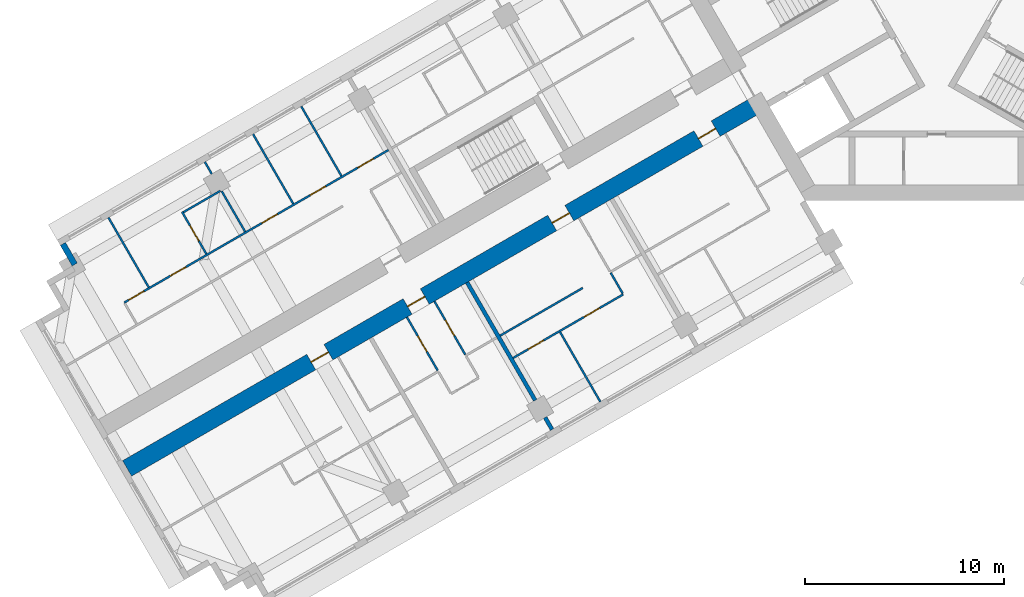
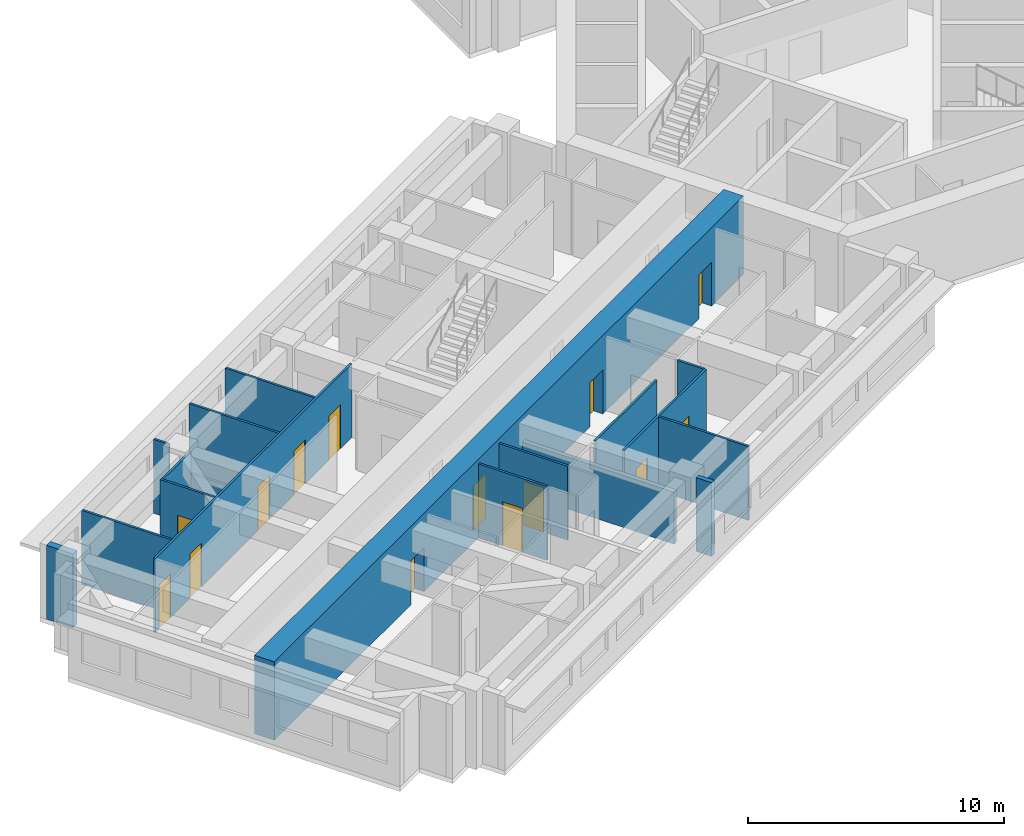
# One storey, part 4 of 14: 18 walls, 14 doors, 14 openings.
"""IFC4 building model written with IfcOpenShell, lengths in metres."""

from ifc_helpers import new_model, si_unit, direction, frame, frame_2d, origin, place, context, subcontext, project, spatial, rectangle, extrude, material, layer, layer_set, type_object, element, fill, save


model = new_model("IFC4")

# Units and contexts
model_context = context("Model", 3, precision=1e-05, world=origin(), true_north=direction((0.0, 1.0)))
body_context = subcontext(model_context, "Body", "Model", "MODEL_VIEW")
ifc_project = project(units=[si_unit("LENGTHUNIT", "METRE"), si_unit("AREAUNIT", "SQUARE_METRE"), si_unit("VOLUMEUNIT", "CUBIC_METRE"), si_unit("PLANEANGLEUNIT", "RADIAN"), si_unit("MASSUNIT", "GRAM", prefix="KILO")], contexts=[model_context])

# Site, building, storey
site_placement = place(None, origin())
site = spatial("IfcSite", under=ifc_project, at=site_placement, CompositionType="ELEMENT")
building_placement = place(site_placement, origin())
building = spatial("IfcBuilding", under=site, at=building_placement, Name="Impinga Residences", CompositionType="ELEMENT")
storey_placement = place(building_placement, frame((0.0, 0.0, 128.5)))
storey = spatial("IfcBuildingStorey", under=building, at=storey_placement, Name="L31", CompositionType="ELEMENT", Elevation=128.5)

# Wall, openings, doors
ifc_material_1 = material(Name="Concrete C60/75", Category="concrete")
ifc_layer_1 = layer(ifc_material_1, 0.89990234375)
ifc_layer_set_1 = layer_set([ifc_layer_1], Name="Concrete C60/75")
wall_type_1 = type_object("IfcWallType", Name="BW2 corridor buttress wall, L24 to L44 900", PredefinedType="SHEAR", material=ifc_layer_set_1)
wall_1_placement = place(storey_placement, frame((-8.95361328125, -6.554931640625, 0.0), z_axis=(0.0, 0.0, 1.0), x_axis=(-0.866024733898, -0.500001160275, 0.0)))
wall_1 = element("IfcWall", 1, at=wall_1_placement, inside=storey, type_object=wall_type_1, Name="Corridor wall BW2 WC L31", PredefinedType="SHEAR", context=body_context, shape_type="SweptSolid", body=[
    extrude(rectangle(XDim=36.7001953125, YDim=0.89990234375, at=frame_2d((18.35009765625, 0.0))), origin(), (0.0, 0.0, 1.0), 3.75),
])
opening_1_placement = place(wall_1_placement, frame((2.5, 0.0, 0.0)))
opening_1 = element("IfcOpeningElement", 2, at=opening_1_placement, cuts=wall_1, Name="Opening D1", PredefinedType="OPENING", context=body_context, shape_type="SweptSolid", body=[
    extrude(rectangle(XDim=1.0, YDim=2.10009765625, at=frame_2d((0.5, 1.050048828125))), frame((0.0, 0.4599609375, 0.0), z_axis=(0.0, -1.0, 0.0), x_axis=(1.0, 0.0, 0.0)), (0.0, 0.0, 1.0), 0.919921875),
])
opening_2_placement = place(wall_1_placement, frame((11.0, 0.0, 0.0)))
opening_2 = element("IfcOpeningElement", 3, at=opening_2_placement, cuts=wall_1, Name="Opening D1", PredefinedType="OPENING", context=body_context, shape_type="SweptSolid", body=[
    extrude(rectangle(XDim=1.0, YDim=2.10009765625, at=frame_2d((0.5, 1.050048828125))), frame((0.0, 0.4599609375, 0.0), z_axis=(0.0, -1.0, 0.0), x_axis=(1.0, 0.0, 0.0)), (0.0, 0.0, 1.0), 0.919921875),
])
opening_3_placement = place(wall_1_placement, frame((19.39990234375, 0.0, 0.0)))
opening_3 = element("IfcOpeningElement", 4, at=opening_3_placement, cuts=wall_1, Name="Opening D1", PredefinedType="OPENING", context=body_context, shape_type="SweptSolid", body=[
    extrude(rectangle(XDim=1.0, YDim=2.10009765625, at=frame_2d((0.5, 1.050048828125))), frame((0.0, 0.4599609375, 0.0), z_axis=(0.0, -1.0, 0.0), x_axis=(1.0, 0.0, 0.0)), (0.0, 0.0, 1.0), 0.919921875),
])
opening_4_placement = place(wall_1_placement, frame((25.0, 0.0, 0.0)))
opening_4 = element("IfcOpeningElement", 5, at=opening_4_placement, cuts=wall_1, Name="Opening D1", PredefinedType="OPENING", context=body_context, shape_type="SweptSolid", body=[
    extrude(rectangle(XDim=1.0, YDim=2.10009765625, at=frame_2d((0.5, 1.050048828125))), frame((0.0, 0.4599609375, 0.0), z_axis=(0.0, -1.0, 0.0), x_axis=(1.0, 0.0, 0.0)), (0.0, 0.0, 1.0), 0.919921875),
])
ifc_material_2 = material(Name="Timber door set", Category="wood")
door_type_1 = type_object("IfcDoorType", Name="D1 apartment entrance door 1000x2100", OperationType="SINGLE_SWING_LEFT", PredefinedType="DOOR", material=ifc_material_2)
door_1_placement = place(opening_1_placement, origin())
door_1 = element("IfcDoor", 6, at=door_1_placement, inside=storey, type_object=door_type_1, Name="Apartment L31-WA1 entrance", OperationType="SINGLE_SWING_LEFT", OverallHeight=2.10009765625, OverallWidth=1.0, PredefinedType="DOOR", context=body_context, shape_type="SweptSolid", body=[
    extrude(rectangle(XDim=1.0, YDim=2.10009765625, at=frame_2d((0.5, 1.050048828125))), frame((0.0, 0.02490234375, 0.0), z_axis=(0.0, -1.0, 0.0), x_axis=(1.0, 0.0, 0.0)), (0.0, 0.0, 1.0), 0.050048828125),
])
fill(opening_1, door_1)
door_2_placement = place(opening_2_placement, origin())
door_2 = element("IfcDoor", 7, at=door_2_placement, inside=storey, type_object=door_type_1, Name="Apartment L31-WA2 entrance", OperationType="SINGLE_SWING_LEFT", OverallHeight=2.10009765625, OverallWidth=1.0, PredefinedType="DOOR", context=body_context, shape_type="SweptSolid", body=[
    extrude(rectangle(XDim=1.0, YDim=2.10009765625, at=frame_2d((0.5, 1.050048828125))), frame((0.0, 0.02490234375, 0.0), z_axis=(0.0, -1.0, 0.0), x_axis=(1.0, 0.0, 0.0)), (0.0, 0.0, 1.0), 0.050048828125),
])
fill(opening_2, door_2)
door_3_placement = place(opening_3_placement, origin())
door_3 = element("IfcDoor", 8, at=door_3_placement, inside=storey, type_object=door_type_1, Name="Apartment L31-WA3 entrance", OperationType="SINGLE_SWING_RIGHT", OverallHeight=2.10009765625, OverallWidth=1.0, PredefinedType="DOOR", context=body_context, shape_type="SweptSolid", body=[
    extrude(rectangle(XDim=1.0, YDim=2.10009765625, at=frame_2d((0.5, 1.050048828125))), frame((0.0, 0.02490234375, 0.0), z_axis=(0.0, -1.0, 0.0), x_axis=(1.0, 0.0, 0.0)), (0.0, 0.0, 1.0), 0.050048828125),
])
fill(opening_3, door_3)
door_4_placement = place(opening_4_placement, origin())
door_4 = element("IfcDoor", 9, at=door_4_placement, inside=storey, type_object=door_type_1, Name="Apartment L31-WA4 entrance", OperationType="SINGLE_SWING_RIGHT", OverallHeight=2.10009765625, OverallWidth=1.0, PredefinedType="DOOR", context=body_context, shape_type="SweptSolid", body=[
    extrude(rectangle(XDim=1.0, YDim=2.10009765625, at=frame_2d((0.5, 1.050048828125))), frame((0.0, 0.02490234375, 0.0), z_axis=(0.0, -1.0, 0.0), x_axis=(1.0, 0.0, 0.0)), (0.0, 0.0, 1.0), 0.050048828125),
])
fill(opening_4, door_4)

# Walls
ifc_material_3 = material(Name="Terracotta rainscreen on blockwork", Category="masonry")
ifc_layer_2 = layer(ifc_material_3, 0.300048828125)
ifc_layer_set_2 = layer_set([ifc_layer_2], Name="EW1 external wall, terracotta rainscreen on blockwork 300")
wall_type_2 = type_object("IfcWallType", Name="EW1 external wall, terracotta rainscreen on blockwork 300", PredefinedType="SOLIDWALL", material=ifc_layer_set_2)
wall_2_placement = place(storey_placement, frame((-43.37109375, -14.64208984375, 0.0), z_axis=(0.0, 0.0, 1.0), x_axis=(-0.500029051137, 0.866008630453, 0.0)))
element("IfcWall", 10, at=wall_2_placement, inside=storey, type_object=wall_type_2, Name="External wall EW1 L31", PredefinedType="SOLIDWALL", context=body_context, shape_type="SweptSolid", body=[
    extrude(rectangle(XDim=1.19482421875, YDim=0.300048828125, at=frame_2d((0.597412109375, 0.0))), origin(), (0.0, 0.0, 1.0), 3.530029296875),
])
ifc_material_4 = material(Name="Gypsum board on steel studs", Category="steel")
ifc_layer_3 = layer(ifc_material_4, 0.10009765625)
ifc_layer_set_3 = layer_set([ifc_layer_3], Name="Gypsum board on steel studs")
wall_type_3 = type_object("IfcWallType", Name="IP1 partition 100", PredefinedType="PARTITIONING", material=ifc_layer_set_3)
wall_3_placement = place(storey_placement, frame((-17.8056640625, -15.82275390625, 0.0), z_axis=(0.0, 0.0, 1.0), x_axis=(-0.866037363387, -0.499979284789, 0.0)))
element("IfcWall", 11, at=wall_3_placement, inside=storey, type_object=wall_type_3, Name="Partition L31-WA2:DIV1", PredefinedType="PARTITIONING", context=body_context, shape_type="SweptSolid", body=[
    extrude(rectangle(XDim=4.800048828125, YDim=0.10009765625, at=frame_2d((2.39990234375, 0.0))), origin(), (0.0, 0.0, 1.0), 3.530029296875),
])

# Wall, openings, doors
wall_4_placement = place(storey_placement, frame((-15.77001953125, -16.1484375, 0.0), z_axis=(0.0, 0.0, 1.0), x_axis=(-0.866018518567, -0.500011925357, 0.0)))
wall_4 = element("IfcWall", 12, at=wall_4_placement, inside=storey, type_object=wall_type_3, Name="Partition L31-WA2:STRIP", PredefinedType="PARTITIONING", context=body_context, shape_type="SweptSolid", body=[
    extrude(rectangle(XDim=6.400146484375, YDim=0.10009765625, at=frame_2d((3.2001953125, 0.0))), origin(), (0.0, 0.0, 1.0), 3.530029296875),
])
opening_5_placement = place(wall_4_placement, frame((1.375, 0.0, 0.0)))
opening_5 = element("IfcOpeningElement", 13, at=opening_5_placement, cuts=wall_4, Name="Opening D2", PredefinedType="OPENING", context=body_context, shape_type="SweptSolid", body=[
    extrude(rectangle(XDim=0.89990234375, YDim=2.10009765625, at=frame_2d((0.449951171875, 1.050048828125))), frame((0.0, 0.06005859375, 0.0), z_axis=(0.0, -1.0, 0.0), x_axis=(1.0, 0.0, 0.0)), (0.0, 0.0, 1.0), 0.1201171875),
])
opening_6_placement = place(wall_4_placement, frame((4.625, 0.0, 0.0)))
opening_6 = element("IfcOpeningElement", 14, at=opening_6_placement, cuts=wall_4, Name="Opening D2", PredefinedType="OPENING", context=body_context, shape_type="SweptSolid", body=[
    extrude(rectangle(XDim=0.89990234375, YDim=2.10009765625, at=frame_2d((0.449951171875, 1.050048828125))), frame((0.0, 0.06005859375, 0.0), z_axis=(0.0, -1.0, 0.0), x_axis=(1.0, 0.0, 0.0)), (0.0, 0.0, 1.0), 0.1201171875),
])
door_type_2 = type_object("IfcDoorType", Name="D2 internal door 900x2100", OperationType="SINGLE_SWING_LEFT", PredefinedType="DOOR", material=ifc_material_2)
door_5_placement = place(opening_5_placement, origin())
door_5 = element("IfcDoor", 15, at=door_5_placement, inside=storey, type_object=door_type_2, Name="Apartment L31-WA2 room door", OperationType="SINGLE_SWING_LEFT", OverallHeight=2.10009765625, OverallWidth=0.89990234375, PredefinedType="DOOR", context=body_context, shape_type="SweptSolid", body=[
    extrude(rectangle(XDim=0.89990234375, YDim=2.10009765625, at=frame_2d((0.449951171875, 1.050048828125))), frame((0.0, 0.02490234375, 0.0), z_axis=(0.0, -1.0, 0.0), x_axis=(1.0, 0.0, 0.0)), (0.0, 0.0, 1.0), 0.050048828125),
])
fill(opening_5, door_5)
door_6_placement = place(opening_6_placement, origin())
door_6 = element("IfcDoor", 16, at=door_6_placement, inside=storey, type_object=door_type_2, Name="Apartment L31-WA2 room door", OperationType="SINGLE_SWING_RIGHT", OverallHeight=2.10009765625, OverallWidth=0.89990234375, PredefinedType="DOOR", context=body_context, shape_type="SweptSolid", body=[
    extrude(rectangle(XDim=0.89990234375, YDim=2.10009765625, at=frame_2d((0.449951171875, 1.050048828125))), frame((0.0, 0.02490234375, 0.0), z_axis=(0.0, -1.0, 0.0), x_axis=(1.0, 0.0, 0.0)), (0.0, 0.0, 1.0), 0.050048828125),
])
fill(opening_6, door_6)

# Walls
wall_5_placement = place(storey_placement, frame((-16.39501953125, -15.06591796875, 0.0), z_axis=(0.0, 0.0, 1.0), x_axis=(0.499880961361, -0.866094119867, 0.0)))
element("IfcWall", 17, at=wall_5_placement, inside=storey, type_object=wall_type_3, Name="Partition L31-WA2:SE0", PredefinedType="PARTITIONING", context=body_context, shape_type="SweptSolid", body=[
    extrude(rectangle(XDim=1.199951171875, YDim=0.10009765625, at=frame_2d((0.60009765625, 0.0))), origin(), (0.0, 0.0, 1.0), 3.530029296875),
])
wall_6_placement = place(storey_placement, frame((-18.949462890625, -18.041748046875, 0.0), z_axis=(0.0, 0.0, 1.0), x_axis=(0.50000943426, -0.866019956843, 0.0)))
element("IfcWall", 18, at=wall_6_placement, inside=storey, type_object=wall_type_3, Name="Partition L31-WA2:OB1", PredefinedType="PARTITIONING", context=body_context, shape_type="SweptSolid", body=[
    extrude(rectangle(XDim=4.05029296875, YDim=0.10009765625, at=frame_2d((2.025146484375, 0.0))), origin(), (0.0, 0.0, 1.0), 3.530029296875),
])

# Wall, opening, door
wall_7_placement = place(storey_placement, frame((-25.269775390625, -16.49462890625, 0.0), z_axis=(0.0, 0.0, 1.0), x_axis=(0.49999285859, -0.86602952684, 0.0)))
wall_7 = element("IfcWall", 19, at=wall_7_placement, inside=storey, type_object=wall_type_3, Name="Partition L31-WA3:IB1", PredefinedType="PARTITIONING", context=body_context, shape_type="SweptSolid", body=[
    extrude(rectangle(XDim=3.10009765625, YDim=0.10009765625, at=frame_2d((1.550048828125, 0.0))), origin(), (0.0, 0.0, 1.0), 3.530029296875),
])
opening_7_placement = place(wall_7_placement, frame((1.10009765625, 0.0, 0.0)))
opening_7 = element("IfcOpeningElement", 20, at=opening_7_placement, cuts=wall_7, Name="Opening D2", PredefinedType="OPENING", context=body_context, shape_type="SweptSolid", body=[
    extrude(rectangle(XDim=0.89990234375, YDim=2.10009765625, at=frame_2d((0.449951171875, 1.050048828125))), frame((0.0, 0.06005859375, 0.0), z_axis=(0.0, -1.0, 0.0), x_axis=(1.0, 0.0, 0.0)), (0.0, 0.0, 1.0), 0.1201171875),
])
door_7_placement = place(opening_7_placement, origin())
door_7 = element("IfcDoor", 21, at=door_7_placement, inside=storey, type_object=door_type_2, Name="Apartment L31-WA3 bathroom door", OperationType="SINGLE_SWING_LEFT", OverallHeight=2.10009765625, OverallWidth=0.89990234375, PredefinedType="DOOR", context=body_context, shape_type="SweptSolid", body=[
    extrude(rectangle(XDim=0.89990234375, YDim=2.10009765625, at=frame_2d((0.449951171875, 1.050048828125))), frame((0.0, 0.02490234375, 0.0), z_axis=(0.0, -1.0, 0.0), x_axis=(1.0, 0.0, 0.0)), (0.0, 0.0, 1.0), 0.050048828125),
])
fill(opening_7, door_7)

wall_8_placement = place(storey_placement, frame((-26.6552734375, -17.294677734375, 0.0), z_axis=(0.0, 0.0, 1.0), x_axis=(0.49999285859, -0.86602952684, 0.0)))
wall_8 = element("IfcWall", 22, at=wall_8_placement, inside=storey, type_object=wall_type_3, Name="Partition L31-WA3:IB2", PredefinedType="PARTITIONING", context=body_context, shape_type="SweptSolid", body=[
    extrude(rectangle(XDim=3.10009765625, YDim=0.10009765625, at=frame_2d((1.550048828125, 0.0))), origin(), (0.0, 0.0, 1.0), 3.530029296875),
])
opening_8_placement = place(wall_8_placement, frame((1.10009765625, 0.0, 0.0)))
opening_8 = element("IfcOpeningElement", 23, at=opening_8_placement, cuts=wall_8, Name="Opening D2", PredefinedType="OPENING", context=body_context, shape_type="SweptSolid", body=[
    extrude(rectangle(XDim=0.89990234375, YDim=2.10009765625, at=frame_2d((0.449951171875, 1.050048828125))), frame((0.0, 0.06005859375, 0.0), z_axis=(0.0, -1.0, 0.0), x_axis=(1.0, 0.0, 0.0)), (0.0, 0.0, 1.0), 0.1201171875),
])
door_8_placement = place(opening_8_placement, origin())
door_8 = element("IfcDoor", 24, at=door_8_placement, inside=storey, type_object=door_type_2, Name="Apartment L31-WA3 WC door", OperationType="SINGLE_SWING_LEFT", OverallHeight=2.10009765625, OverallWidth=0.89990234375, PredefinedType="DOOR", context=body_context, shape_type="SweptSolid", body=[
    extrude(rectangle(XDim=0.89990234375, YDim=2.10009765625, at=frame_2d((0.449951171875, 1.050048828125))), frame((0.0, 0.02490234375, 0.0), z_axis=(0.0, -1.0, 0.0), x_axis=(1.0, 0.0, 0.0)), (0.0, 0.0, 1.0), 0.050048828125),
])
fill(opening_8, door_8)

# Wall, openings, doors
wall_9_placement = place(storey_placement, frame((-27.5859375, -8.883056640625, 0.0), z_axis=(0.0, 0.0, 1.0), x_axis=(-0.866023490266, -0.500003314297, 0.0)))
wall_9 = element("IfcWall", 25, at=wall_9_placement, inside=storey, type_object=wall_type_3, Name="Partition L31-WF2:STRIP", PredefinedType="PARTITIONING", context=body_context, shape_type="SweptSolid", body=[
    extrude(rectangle(XDim=15.35009765625, YDim=0.10009765625, at=frame_2d((7.675048828125, 0.0))), origin(), (0.0, 0.0, 1.0), 3.530029296875),
])
opening_9_placement = place(wall_9_placement, frame((0.875, 0.0, 0.0)))
opening_9 = element("IfcOpeningElement", 26, at=opening_9_placement, cuts=wall_9, Name="Opening D2", PredefinedType="OPENING", context=body_context, shape_type="SweptSolid", body=[
    extrude(rectangle(XDim=0.89990234375, YDim=2.10009765625, at=frame_2d((0.449951171875, 1.050048828125))), frame((0.0, 0.06005859375, 0.0), z_axis=(0.0, -1.0, 0.0), x_axis=(1.0, 0.0, 0.0)), (0.0, 0.0, 1.0), 0.1201171875),
])
opening_10_placement = place(wall_9_placement, frame((3.64990234375, 0.0, 0.0)))
opening_10 = element("IfcOpeningElement", 27, at=opening_10_placement, cuts=wall_9, Name="Opening D2", PredefinedType="OPENING", context=body_context, shape_type="SweptSolid", body=[
    extrude(rectangle(XDim=0.89990234375, YDim=2.10009765625, at=frame_2d((0.449951171875, 1.050048828125))), frame((0.0, 0.06005859375, 0.0), z_axis=(0.0, -1.0, 0.0), x_axis=(1.0, 0.0, 0.0)), (0.0, 0.0, 1.0), 0.1201171875),
])
opening_11_placement = place(wall_9_placement, frame((6.449951171875, 0.0, 0.0)))
opening_11 = element("IfcOpeningElement", 28, at=opening_11_placement, cuts=wall_9, Name="Opening D2", PredefinedType="OPENING", context=body_context, shape_type="SweptSolid", body=[
    extrude(rectangle(XDim=0.89990234375, YDim=2.10009765625, at=frame_2d((0.449951171875, 1.050048828125))), frame((0.0, 0.06005859375, 0.0), z_axis=(0.0, -1.0, 0.0), x_axis=(1.0, 0.0, 0.0)), (0.0, 0.0, 1.0), 0.1201171875),
])
opening_12_placement = place(wall_9_placement, frame((11.77490234375, 0.0, 0.0)))
opening_12 = element("IfcOpeningElement", 29, at=opening_12_placement, cuts=wall_9, Name="Opening D2", PredefinedType="OPENING", context=body_context, shape_type="SweptSolid", body=[
    extrude(rectangle(XDim=0.89990234375, YDim=2.10009765625, at=frame_2d((0.449951171875, 1.050048828125))), frame((0.0, 0.06005859375, 0.0), z_axis=(0.0, -1.0, 0.0), x_axis=(1.0, 0.0, 0.0)), (0.0, 0.0, 1.0), 0.1201171875),
])
opening_13_placement = place(wall_9_placement, frame((14.199951171875, 0.0, 0.0)))
opening_13 = element("IfcOpeningElement", 30, at=opening_13_placement, cuts=wall_9, Name="Opening D2", PredefinedType="OPENING", context=body_context, shape_type="SweptSolid", body=[
    extrude(rectangle(XDim=0.89990234375, YDim=2.10009765625, at=frame_2d((0.449951171875, 1.050048828125))), frame((0.0, 0.06005859375, 0.0), z_axis=(0.0, -1.0, 0.0), x_axis=(1.0, 0.0, 0.0)), (0.0, 0.0, 1.0), 0.1201171875),
])
door_9_placement = place(opening_9_placement, origin())
door_9 = element("IfcDoor", 31, at=door_9_placement, inside=storey, type_object=door_type_2, Name="Apartment L31-WF2 room door", OperationType="SINGLE_SWING_LEFT", OverallHeight=2.10009765625, OverallWidth=0.89990234375, PredefinedType="DOOR", context=body_context, shape_type="SweptSolid", body=[
    extrude(rectangle(XDim=0.89990234375, YDim=2.10009765625, at=frame_2d((0.449951171875, 1.050048828125))), frame((0.0, 0.02490234375, 0.0), z_axis=(0.0, -1.0, 0.0), x_axis=(1.0, 0.0, 0.0)), (0.0, 0.0, 1.0), 0.050048828125),
])
fill(opening_9, door_9)
door_10_placement = place(opening_10_placement, origin())
door_10 = element("IfcDoor", 32, at=door_10_placement, inside=storey, type_object=door_type_2, Name="Apartment L31-WF2 room door", OperationType="SINGLE_SWING_LEFT", OverallHeight=2.10009765625, OverallWidth=0.89990234375, PredefinedType="DOOR", context=body_context, shape_type="SweptSolid", body=[
    extrude(rectangle(XDim=0.89990234375, YDim=2.10009765625, at=frame_2d((0.449951171875, 1.050048828125))), frame((0.0, 0.02490234375, 0.0), z_axis=(0.0, -1.0, 0.0), x_axis=(1.0, 0.0, 0.0)), (0.0, 0.0, 1.0), 0.050048828125),
])
fill(opening_10, door_10)
door_11_placement = place(opening_11_placement, origin())
door_11 = element("IfcDoor", 33, at=door_11_placement, inside=storey, type_object=door_type_2, Name="Apartment L31-WF2 room door", OperationType="SINGLE_SWING_LEFT", OverallHeight=2.10009765625, OverallWidth=0.89990234375, PredefinedType="DOOR", context=body_context, shape_type="SweptSolid", body=[
    extrude(rectangle(XDim=0.89990234375, YDim=2.10009765625, at=frame_2d((0.449951171875, 1.050048828125))), frame((0.0, 0.02490234375, 0.0), z_axis=(0.0, -1.0, 0.0), x_axis=(1.0, 0.0, 0.0)), (0.0, 0.0, 1.0), 0.050048828125),
])
fill(opening_11, door_11)
door_12_placement = place(opening_12_placement, origin())
door_12 = element("IfcDoor", 34, at=door_12_placement, inside=storey, type_object=door_type_2, Name="Apartment L31-WF2 room door", OperationType="SINGLE_SWING_RIGHT", OverallHeight=2.10009765625, OverallWidth=0.89990234375, PredefinedType="DOOR", context=body_context, shape_type="SweptSolid", body=[
    extrude(rectangle(XDim=0.89990234375, YDim=2.10009765625, at=frame_2d((0.449951171875, 1.050048828125))), frame((0.0, 0.02490234375, 0.0), z_axis=(0.0, -1.0, 0.0), x_axis=(1.0, 0.0, 0.0)), (0.0, 0.0, 1.0), 0.050048828125),
])
fill(opening_12, door_12)
door_13_placement = place(opening_13_placement, origin())
door_13 = element("IfcDoor", 35, at=door_13_placement, inside=storey, type_object=door_type_2, Name="Apartment L31-WF2 room door", OperationType="SINGLE_SWING_RIGHT", OverallHeight=2.10009765625, OverallWidth=0.89990234375, PredefinedType="DOOR", context=body_context, shape_type="SweptSolid", body=[
    extrude(rectangle(XDim=0.89990234375, YDim=2.10009765625, at=frame_2d((0.449951171875, 1.050048828125))), frame((0.0, 0.02490234375, 0.0), z_axis=(0.0, -1.0, 0.0), x_axis=(1.0, 0.0, 0.0)), (0.0, 0.0, 1.0), 0.050048828125),
])
fill(opening_13, door_13)

# Walls
for number, where, z_axis, x_axis, name in (
    (36, (-29.94921875, -10.189697265625, 0.0), (0.0, 0.0, 1.0), (-0.499990325971, 0.866030989016, 0.0), "Partition L31-WF2:OB1"),
    (37, (-32.3740234375, -11.589599609375, 0.0), (0.0, 0.0, 1.0), (-0.499990325971, 0.866030989016, 0.0), "Partition L31-WF2:OB2"),
):
    element("IfcWall", number, at=place(storey_placement, frame(where, z_axis=z_axis, x_axis=x_axis)), inside=storey, type_object=wall_type_3, Name=name, PredefinedType="PARTITIONING", context=body_context, shape_type="SweptSolid", body=[
        extrude(rectangle(XDim=4.0498046875, YDim=0.10009765625, at=frame_2d((2.02490234375, 0.0))), origin(), (0.0, 0.0, 1.0), 3.530029296875),
    ])
wall_10_placement = place(storey_placement, frame((-34.798828125, -12.98974609375, 0.0), z_axis=(0.0, 0.0, 1.0), x_axis=(-0.500016218704, 0.866016039709, 0.0)))
element("IfcWall", 38, at=wall_10_placement, inside=storey, type_object=wall_type_3, Name="Partition L31-WF2:OB3", PredefinedType="PARTITIONING", context=body_context, shape_type="SweptSolid", body=[
    extrude(rectangle(XDim=2.35009765625, YDim=0.10009765625, at=frame_2d((1.175048828125, 0.0))), origin(), (0.0, 0.0, 1.0), 2.47998046875),
])
wall_11_placement = place(storey_placement, frame((-36.473876953125, -10.088623046875, 0.0), z_axis=(0.0, 0.0, 1.0), x_axis=(-0.499853302173, 0.866110083249, 0.0)))
element("IfcWall", 39, at=wall_11_placement, inside=storey, type_object=wall_type_3, Name="Partition L31-WF2:OB3b", PredefinedType="PARTITIONING", context=body_context, shape_type="SweptSolid", body=[
    extrude(rectangle(XDim=0.699951171875, YDim=0.10009765625, at=frame_2d((0.35009765625, 0.0))), origin(), (0.0, 0.0, 1.0), 3.530029296875),
])
wall_12_placement = place(storey_placement, frame((-39.648681640625, -15.789794921875, 0.0), z_axis=(0.0, 0.0, 1.0), x_axis=(-0.499964223975, 0.866046058097, 0.0)))
element("IfcWall", 40, at=wall_12_placement, inside=storey, type_object=wall_type_3, Name="Partition L31-WF2:OB4", PredefinedType="PARTITIONING", context=body_context, shape_type="SweptSolid", body=[
    extrude(rectangle(XDim=4.050048828125, YDim=0.10009765625, at=frame_2d((2.02490234375, 0.0))), origin(), (0.0, 0.0, 1.0), 3.530029296875),
])

# Wall, opening, door
wall_13_placement = place(storey_placement, frame((-36.747314453125, -14.11474609375, 0.0), z_axis=(0.0, 0.0, 1.0), x_axis=(-0.500018594424, 0.866014668023, 0.0)))
wall_13 = element("IfcWall", 41, at=wall_13_placement, inside=storey, type_object=wall_type_3, Name="Partition L31-WF2:EN1", PredefinedType="PARTITIONING", context=body_context, shape_type="SweptSolid", body=[
    extrude(rectangle(XDim=2.4501953125, YDim=0.10009765625, at=frame_2d((1.22509765625, 0.0))), origin(), (0.0, 0.0, 1.0), 3.530029296875),
])
opening_14_placement = place(wall_13_placement, frame((0.75, 0.0, 0.0)))
opening_14 = element("IfcOpeningElement", 42, at=opening_14_placement, cuts=wall_13, Name="Opening D2", PredefinedType="OPENING", context=body_context, shape_type="SweptSolid", body=[
    extrude(rectangle(XDim=0.89990234375, YDim=2.10009765625, at=frame_2d((0.449951171875, 1.050048828125))), frame((0.0, 0.06005859375, 0.0), z_axis=(0.0, -1.0, 0.0), x_axis=(1.0, 0.0, 0.0)), (0.0, 0.0, 1.0), 0.1201171875),
])
door_14_placement = place(opening_14_placement, origin())
door_14 = element("IfcDoor", 43, at=door_14_placement, inside=storey, type_object=door_type_2, Name="Apartment L31-WF2 en-suite door", OperationType="SINGLE_SWING_LEFT", OverallHeight=2.10009765625, OverallWidth=0.89990234375, PredefinedType="DOOR", context=body_context, shape_type="SweptSolid", body=[
    extrude(rectangle(XDim=0.89990234375, YDim=2.10009765625, at=frame_2d((0.449951171875, 1.050048828125))), frame((0.0, 0.02490234375, 0.0), z_axis=(0.0, -1.0, 0.0), x_axis=(1.0, 0.0, 0.0)), (0.0, 0.0, 1.0), 0.050048828125),
])
fill(opening_14, door_14)

# Walls
wall_14_placement = place(storey_placement, frame((-36.042236328125, -10.936279296875, 0.0), z_axis=(0.0, 0.0, 1.0), x_axis=(-0.866019166195, -0.500010803666, 0.0)))
element("IfcWall", 44, at=wall_14_placement, inside=storey, type_object=wall_type_3, Name="Partition L31-WF2:EN2", PredefinedType="PARTITIONING", context=body_context, shape_type="SweptSolid", body=[
    extrude(rectangle(XDim=2.14990234375, YDim=0.10009765625, at=frame_2d((1.074951171875, 0.0))), origin(), (0.0, 0.0, 1.0), 3.530029296875),
])
ifc_material_5 = material(Name="Concrete blockwork", Category="masonry")
ifc_layer_4 = layer(ifc_material_5, 0.199951171875)
ifc_layer_set_4 = layer_set([ifc_layer_4], Name="PW1 party wall between apartments 200")
wall_type_4 = type_object("IfcWallType", Name="PW1 party wall between apartments 200", PredefinedType="SOLIDWALL", material=ifc_layer_set_4)
wall_15_placement = place(storey_placement, frame((-23.624267578125, -15.544677734375, 0.0), z_axis=(0.0, 0.0, 1.0), x_axis=(0.499999086063, -0.866025931445, 0.0)))
element("IfcWall", 45, at=wall_15_placement, inside=storey, type_object=wall_type_4, Name="Party wall between apartments L31-WA2:PARTY", PredefinedType="SOLIDWALL", context=body_context, shape_type="SweptSolid", body=[
    extrude(rectangle(XDim=6.85009765625, YDim=0.199951171875, at=frame_2d((3.425048828125, 0.0))), origin(), (0.0, 0.0, 1.0), 2.47998046875),
])
wall_16_placement = place(storey_placement, frame((-19.69921875, -22.343017578125, 0.0), z_axis=(0.0, 0.0, 1.0), x_axis=(0.500114896893, -0.865959057869, 0.0)))
element("IfcWall", 46, at=wall_16_placement, inside=storey, type_object=wall_type_4, Name="Party wall between apartments L31-WA2:PARTYb", PredefinedType="SOLIDWALL", context=body_context, shape_type="SweptSolid", body=[
    extrude(rectangle(XDim=0.699951171875, YDim=0.199951171875, at=frame_2d((0.35009765625, 0.0))), origin(), (0.0, 0.0, 1.0), 3.530029296875),
])

save(model, "model.ifc")
